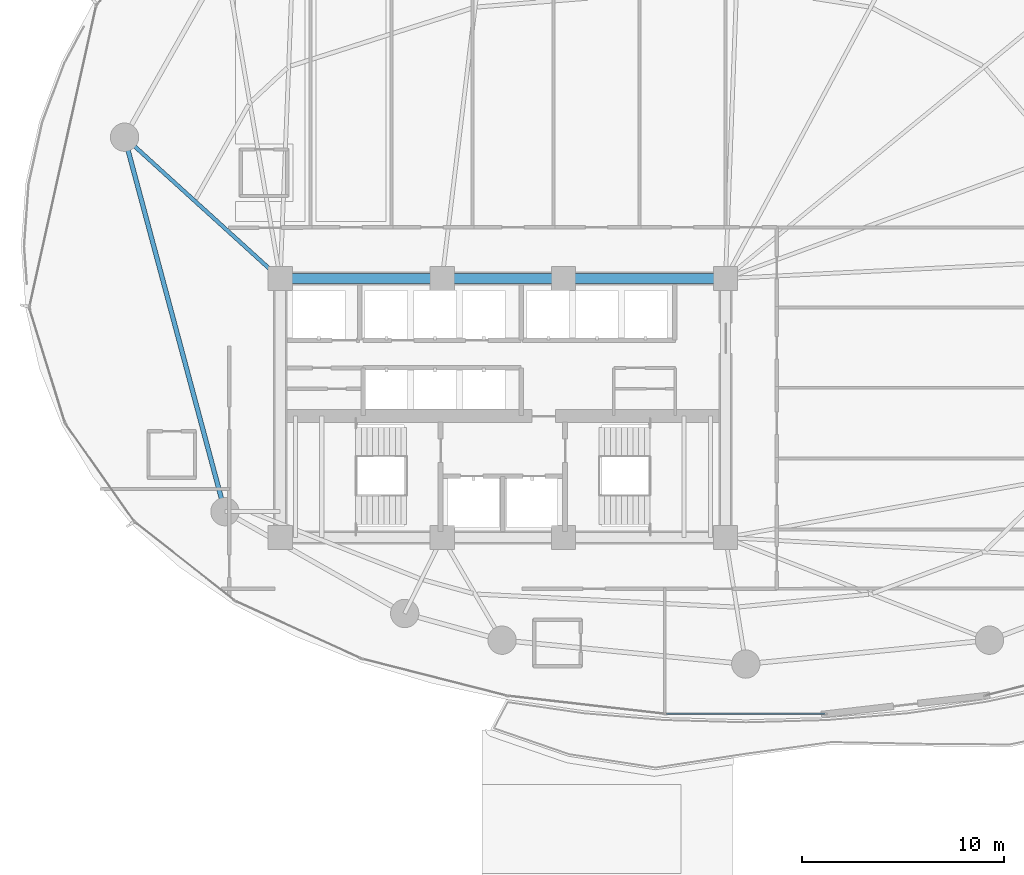
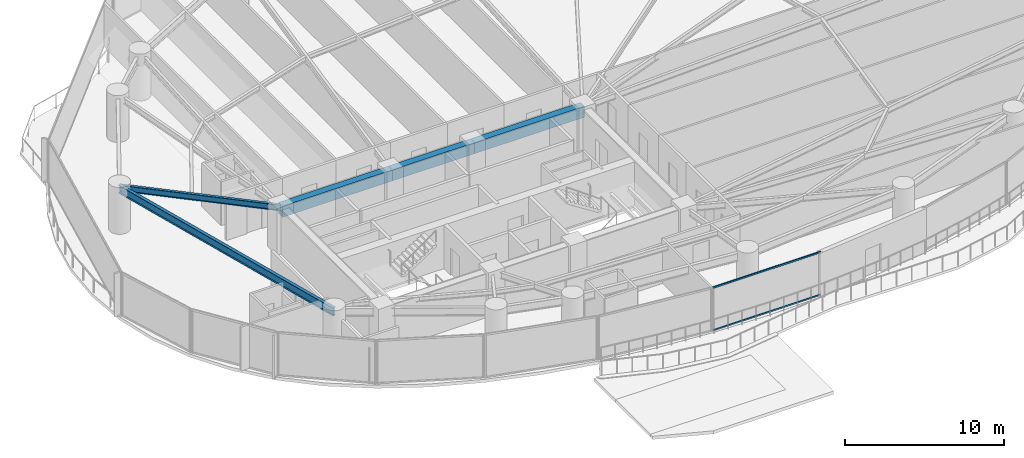
# One storey, part 10 of 32: 5 beams, 2 members, 1 element without a shape of its own.
"""IFC4 building model written with IfcOpenShell, lengths in metres."""

from ifc_helpers import new_model, si_unit, direction, frame, origin, origin_2d, place, context, subcontext, project, spatial, rectangle, hollow_rectangle, i_section, extrude, material, layer, layer_set, material_profile, profile_set, type_object, element, aggregate, save


model = new_model("IFC4")

# Units and contexts
model_context = context("Model", 3, precision=1e-05, world=origin(), true_north=direction((0.0, 1.0)))
body_context = subcontext(model_context, "Body", "Model", "MODEL_VIEW")
ifc_project = project(units=[si_unit("LENGTHUNIT", "METRE"), si_unit("AREAUNIT", "SQUARE_METRE"), si_unit("VOLUMEUNIT", "CUBIC_METRE"), si_unit("PLANEANGLEUNIT", "RADIAN"), si_unit("MASSUNIT", "GRAM", prefix="KILO")], contexts=[model_context])

# Site, building, storey
site_placement = place(None, origin())
site = spatial("IfcSite", under=ifc_project, at=site_placement, CompositionType="ELEMENT")
building_placement = place(site_placement, origin())
building = spatial("IfcBuilding", under=site, at=building_placement, Name="Kazevale Care Tower and Concert Hall", CompositionType="ELEMENT")
storey_placement = place(building_placement, frame((0.0, 0.0, 24.0)))
storey = spatial("IfcBuildingStorey", under=building, at=storey_placement, Name="L05", CompositionType="ELEMENT", Elevation=24.0)

# Curtain wall, members
ifc_material_1 = material(Name="Aluminium 6063-T6 and Low-E Glass", Category="aluminium")
ifc_layer = layer(ifc_material_1, 0.179931640625)
ifc_layer_set = layer_set([ifc_layer], Name="Aluminium 6063-T6 and Low-E Glass")
curtain_wall_type = type_object("IfcCurtainWallType", Name="Sheltered Concave Balcony Curtain Wall CW-5", PredefinedType="NOTDEFINED", material=ifc_layer_set)
curtain_wall_placement = place(storey_placement, origin())
curtain_wall = element("IfcCurtainWall", 1, at=curtain_wall_placement, inside=storey, type_object=curtain_wall_type, Name="cw:L05:f06", PredefinedType="NOTDEFINED")
ifc_material_2 = material(Name="Aluminium 6063-T6", Category="aluminium")
ifc_material_profile_1 = material_profile(ifc_material_2, hollow_rectangle(XDim=0.074951171875, YDim=0.1201171875, WallThickness=0.00390625, at=origin_2d()), Name="ALU75x120x4")
ifc_profile_set_1 = profile_set([ifc_material_profile_1], Name="Aluminium 6063-T6")
member_type = type_object("IfcMemberType", Name="CW-5 Transom ALU75x120x4", PredefinedType="USERDEFINED", material=ifc_profile_set_1)
member_1_placement = place(storey_placement, frame((48.923095703125, 14.889892578125, 0.03759765625), z_axis=(-1.0, 0.0, 0.0), x_axis=(0.0, -1.0, 0.0)))
member_1 = element("IfcMember", 2, at=member_1_placement, type_object=member_type, Name="CW-5 transom 1.1", ObjectType="TRANSOM", PredefinedType="USERDEFINED", context=body_context, shape_type="SweptSolid", body=[
    extrude(hollow_rectangle(XDim=0.074951171875, YDim=0.1201171875, WallThickness=0.00390625, at=origin_2d()), origin(), (0.0, 0.0, 1.0), 7.84619140625),
])
member_2_placement = place(storey_placement, frame((48.923095703125, 14.889892578125, 3.322509765625), z_axis=(-1.0, 0.0, 0.0), x_axis=(0.0, -1.0, 0.0)))
member_2 = element("IfcMember", 3, at=member_2_placement, type_object=member_type, Name="CW-5 transom 1.2", ObjectType="TRANSOM", PredefinedType="USERDEFINED", context=body_context, shape_type="SweptSolid", body=[
    extrude(hollow_rectangle(XDim=0.074951171875, YDim=0.1201171875, WallThickness=0.00390625, at=origin_2d()), origin(), (0.0, 0.0, 1.0), 7.84619140625),
])
aggregate(curtain_wall, [member_1, member_2])

# Beams
ifc_material_3 = material(Name="Concrete C60", Category="concrete")
ifc_material_profile_2 = material_profile(ifc_material_3, rectangle(XDim=0.5, YDim=0.85009765625, at=origin_2d()), Name="RC-B500x850")
ifc_profile_set_2 = profile_set([ifc_material_profile_2], Name="Concrete C60")
beam_type_1 = type_object("IfcBeamType", Name="Core Coupling Beam RC500x850", PredefinedType="LINTEL", material=ifc_profile_set_2)
beam_1_placement = place(storey_placement, frame((44.0, 36.39990234375, 2.93505859375), z_axis=(-1.0, 0.0, 0.0), x_axis=(0.0, -1.0, 0.0)))
element("IfcBeam", 4, at=beam_1_placement, inside=storey, type_object=beam_type_1, Name="beam:L05:coretie:5", PredefinedType="LINTEL", context=body_context, shape_type="SweptSolid", body=[
    extrude(rectangle(XDim=0.5, YDim=0.85009765625, at=origin_2d()), origin(), (0.0, 0.0, 1.0), 8.0),
])
beam_2_placement = place(storey_placement, frame((36.0, 36.39990234375, 2.93505859375), z_axis=(-1.0, 0.0, 0.0), x_axis=(0.0, -1.0, 0.0)))
element("IfcBeam", 5, at=beam_2_placement, inside=storey, type_object=beam_type_1, Name="beam:L05:coretie:6", PredefinedType="LINTEL", context=body_context, shape_type="SweptSolid", body=[
    extrude(rectangle(XDim=0.5, YDim=0.85009765625, at=origin_2d()), origin(), (0.0, 0.0, 1.0), 6.0),
])
beam_3_placement = place(storey_placement, frame((30.0, 36.39990234375, 2.93505859375), z_axis=(-1.0, 0.0, 0.0), x_axis=(0.0, -1.0, 0.0)))
element("IfcBeam", 6, at=beam_3_placement, inside=storey, type_object=beam_type_1, Name="beam:L05:coretie:7", PredefinedType="LINTEL", context=body_context, shape_type="SweptSolid", body=[
    extrude(rectangle(XDim=0.5, YDim=0.85009765625, at=origin_2d()), origin(), (0.0, 0.0, 1.0), 8.0),
])
ifc_material_4 = material(Name="Steel ASTM A572 Gr 50", Category="steel")
ifc_material_profile_3 = material_profile(ifc_material_4, i_section(OverallWidth=0.19091796875, OverallDepth=0.4599609375, WebThickness=0.010009765625, FlangeThickness=0.01611328125, at=origin_2d()), Name="W460x82")
ifc_profile_set_3 = profile_set([ifc_material_profile_3], Name="Steel ASTM A572 Gr 50")
beam_type_2 = type_object("IfcBeamType", Name="Radial Floor Beam W460x82", PredefinedType="BEAM", material=ifc_profile_set_3)
beam_4_placement = place(storey_placement, frame((22.0, 36.39990234375, 3.1298828125), z_axis=(-0.740461073653, 0.672099247436, 0.0), x_axis=(-0.672099247436, -0.740461073653, 0.0)))
element("IfcBeam", 7, at=beam_4_placement, inside=storey, type_object=beam_type_2, Name="beam:L05:rad:09", PredefinedType="BEAM", context=body_context, shape_type="SweptSolid", body=[
    extrude(i_section(OverallWidth=0.19091796875, OverallDepth=0.4599609375, WebThickness=0.010009765625, FlangeThickness=0.01611328125, at=origin_2d()), origin(), (0.0, 0.0, 1.0), 10.38525390625),
])
ifc_material_profile_4 = material_profile(ifc_material_4, i_section(OverallWidth=0.22900390625, OverallDepth=0.612060546875, WebThickness=0.011962890625, FlangeThickness=0.01953125, at=origin_2d()), Name="W610x125")
ifc_profile_set_4 = profile_set([ifc_material_profile_4], Name="Steel ASTM A572 Gr 50")
beam_type_3 = type_object("IfcBeamType", Name="Ring Spandrel Beam W610x125", PredefinedType="SPANDREL", material=ifc_profile_set_4)
beam_5_placement = place(storey_placement, frame((14.31005859375, 43.3798828125, 3.053955078125), z_axis=(0.258960352031, -0.965887952133, 0.0), x_axis=(0.965887952133, 0.258960352031, 0.0)))
element("IfcBeam", 8, at=beam_5_placement, inside=storey, type_object=beam_type_3, Name="beam:L05:ring:09", PredefinedType="SPANDREL", context=body_context, shape_type="SweptSolid", body=[
    extrude(i_section(OverallWidth=0.22900390625, OverallDepth=0.612060546875, WebThickness=0.011962890625, FlangeThickness=0.01953125, at=origin_2d()), origin(), (0.0, 0.0, 1.0), 19.1533203125),
])

save(model, "model.ifc")
